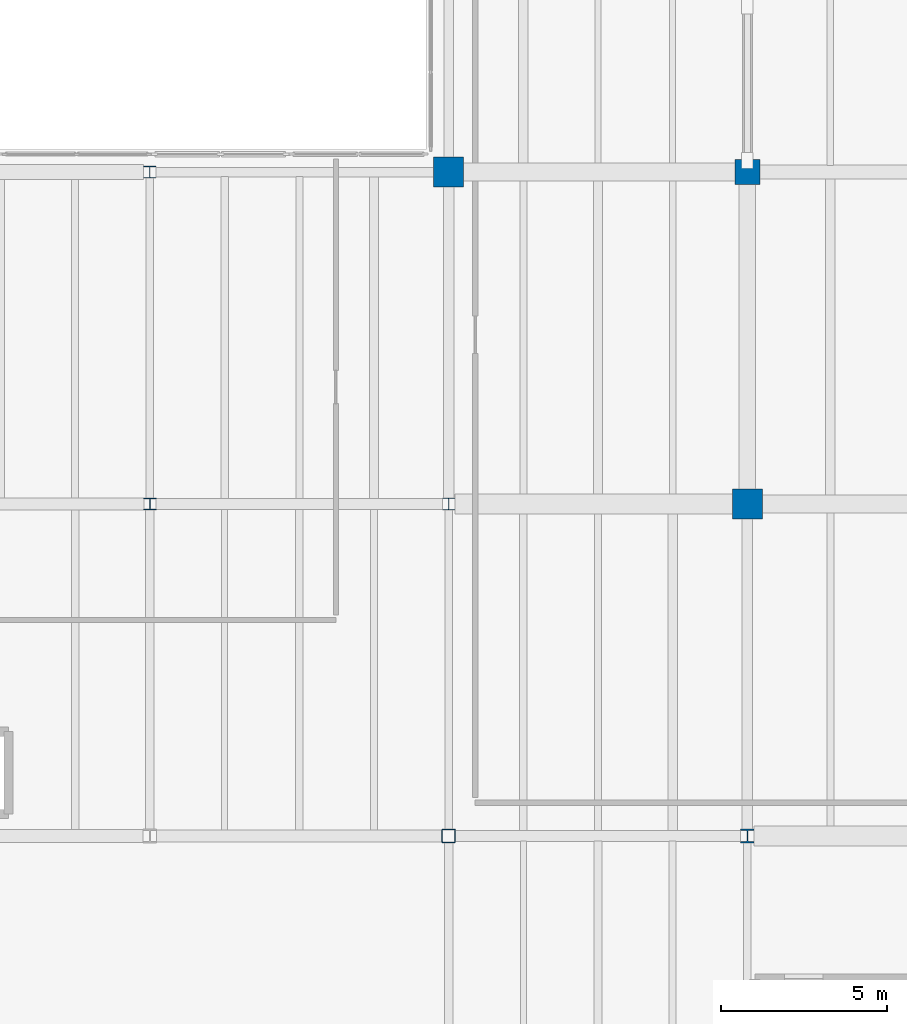
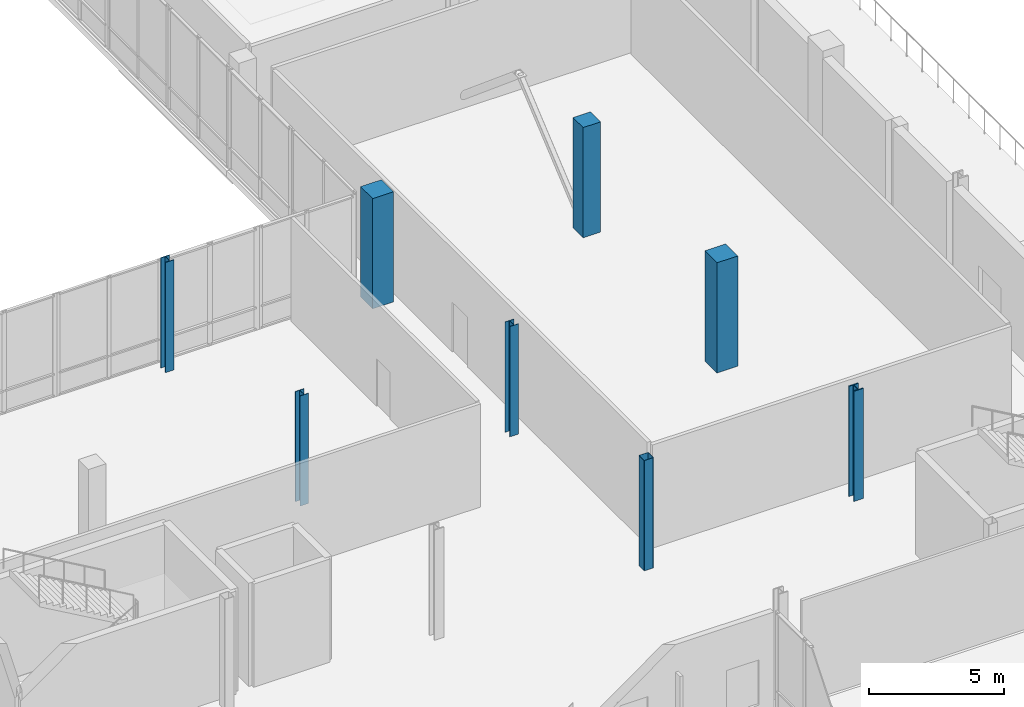
# One storey, part 3 of 81: 8 columns.
"""IFC4 building model written with IfcOpenShell, lengths in metres."""

import ifcopenshell
import ifcopenshell.guid

model = None  # the IFC model being written
_history = None  # IfcOwnerHistory: only IFC2X3 demands one
_inside = {}  # id of a spatial element -> (the spatial element, [elements in it])
_under = {}  # id of a project, library or spatial element -> (it, [spatial elements below it])
_declared = {}  # id of a project -> (the project, [libraries it declares])
_typed = {}  # id of a type object -> (the type object, [elements of that type])
_made_of = {}  # id of a material, layer set ... -> (it, [elements and type objects made of it])


def new_model(schema):
    """Start an empty IFC model of exactly this schema.

    Asked for "IFC4X3", IfcOpenShell would pick the latest addendum, in which some entities
    have other attributes; the version numbers below select the first issue.
    IFC2X3 requires an IfcOwnerHistory on every rooted entity: one is made here for all.
    """
    global model, _history
    if schema == "IFC4X3":
        model = ifcopenshell.file(schema_version=(4, 3, 0, 0))
    else:
        model = ifcopenshell.file(schema=schema)
    _inside.clear()
    _under.clear()
    _declared.clear()
    _typed.clear()
    _made_of.clear()
    _history = None
    if model.schema == "IFC2X3":
        org = make("IfcOrganization", Name="unknown")
        user = make(
            "IfcPersonAndOrganization",
            ThePerson=make("IfcPerson", FamilyName="unknown"),
            TheOrganization=org,
        )
        app = make(
            "IfcApplication",
            ApplicationDeveloper=org,
            Version="unknown",
            ApplicationFullName="unknown",
            ApplicationIdentifier="unknown",
        )
        _history = make(
            "IfcOwnerHistory",
            OwningUser=user,
            OwningApplication=app,
            ChangeAction="ADDED",
            CreationDate=0,
        )
    return model


def make(cls, **values):
    """One entity of the class cls with the attributes given. An attribute that is None is left unset."""
    return model.create_entity(
        cls, **{name: value for name, value in values.items() if value is not None}
    )


def rooted(cls, **values):
    """An entity with a GlobalId (a new one), such as an element, a storey or a relation."""
    return make(cls, GlobalId=ifcopenshell.guid.new(), OwnerHistory=_history, **values)


def si_unit(unit_type, name, prefix=None):
    """IfcSIUnit, for example si_unit("LENGTHUNIT", "METRE", prefix="MILLI")."""
    return make("IfcSIUnit", UnitType=unit_type, Prefix=prefix, Name=name)


def assignment(units):
    """IfcUnitAssignment: the units of a project."""
    return None if units is None else make("IfcUnitAssignment", Units=units)


def point(xyz):
    """IfcCartesianPoint."""
    return None if xyz is None else make("IfcCartesianPoint", Coordinates=xyz)


def direction(xyz):
    """IfcDirection."""
    return None if xyz is None else make("IfcDirection", DirectionRatios=xyz)


def frame(location, z_axis=None, x_axis=None):
    """IfcAxis2Placement3D, a coordinate frame: its origin and axes. An axis left out is left unset."""
    return make(
        "IfcAxis2Placement3D",
        Location=point(location),
        Axis=direction(z_axis),
        RefDirection=direction(x_axis),
    )


def frame_2d(location, x_axis=None):
    """IfcAxis2Placement2D, a coordinate frame in the plane: its origin and x axis."""
    return make(
        "IfcAxis2Placement2D", Location=point(location), RefDirection=direction(x_axis)
    )


def origin():
    """The frame at (0, 0, 0) with its axes left unset."""
    return frame((0.0, 0.0, 0.0))


def origin_2d():
    """The frame at (0, 0) in the plane with its x axis left unset."""
    return frame_2d((0.0, 0.0))


def place(relative_to, where):
    """IfcLocalPlacement: puts the frame where relative to a parent placement (None: the world)."""
    return make(
        "IfcLocalPlacement", PlacementRelTo=relative_to, RelativePlacement=where
    )


def context(
    kind, dimensions, precision=None, world=None, true_north=None, identifier=None
):
    """IfcGeometricRepresentationContext, for example the 3D "Model" context."""
    return make(
        "IfcGeometricRepresentationContext",
        ContextIdentifier=identifier,
        ContextType=kind,
        CoordinateSpaceDimension=dimensions,
        Precision=precision,
        WorldCoordinateSystem=world,
        TrueNorth=true_north,
    )


def subcontext(parent, identifier, kind, view, scale=None):
    """IfcGeometricRepresentationSubContext, for example "Body" below "Model"."""
    return make(
        "IfcGeometricRepresentationSubContext",
        ContextIdentifier=identifier,
        ContextType=kind,
        ParentContext=parent,
        TargetScale=scale,
        TargetView=view,
    )


def project(units=None, contexts=None):
    """IfcProject with its units and contexts."""
    return rooted(
        "IfcProject",
        Name="project",
        RepresentationContexts=contexts,
        UnitsInContext=assignment(units),
    )


def spatial(cls, under=None, at=None, **own):
    """A site, building, storey or space (cls), placed at a placement, below another one or the project."""
    s = rooted(cls, ObjectPlacement=at, **own)
    if under is not None:
        _under.setdefault(under.id(), (under, []))[1].append(s)
    return s


def profile(cls, at=None, kind="AREA", **sizes):
    """A parametric profile (cls). Its sizes go by their IFC names, for example OverallWidth=200.0."""
    return make(cls, ProfileType=kind, Position=at, **sizes)


def rectangle(**sizes):
    """IfcRectangleProfileDef."""
    return profile("IfcRectangleProfileDef", **sizes)


def hollow_rectangle(**sizes):
    """IfcRectangleHollowProfileDef."""
    return profile("IfcRectangleHollowProfileDef", **sizes)


def i_section(**sizes):
    """IfcIShapeProfileDef."""
    return profile("IfcIShapeProfileDef", **sizes)


def extrude(swept, where, along, depth):
    """IfcExtrudedAreaSolid: the profile swept, set in the frame where, extruded along a direction by depth."""
    return make(
        "IfcExtrudedAreaSolid",
        SweptArea=swept,
        Position=where,
        ExtrudedDirection=direction(along),
        Depth=depth,
    )


def shape(context_of_items, identifier, shape_type, items):
    """IfcShapeRepresentation: the items that make up one representation, for example the "Body"."""
    return make(
        "IfcShapeRepresentation",
        ContextOfItems=context_of_items,
        RepresentationIdentifier=identifier,
        RepresentationType=shape_type,
        Items=items,
    )


def material(Name=None, Category=None):
    """IfcMaterial."""
    return make("IfcMaterial", Name=Name, Category=Category)


def material_profile(
    of_material, cross_section, Name=None, Category=None, Priority=None
):
    """IfcMaterialProfile: a cross section and its material."""
    return make(
        "IfcMaterialProfile",
        Name=Name,
        Material=of_material,
        Profile=cross_section,
        Priority=Priority,
        Category=Category,
    )


def profile_set(profiles, Name=None, composite=None):
    """IfcMaterialProfileSet."""
    return make(
        "IfcMaterialProfileSet",
        Name=Name,
        MaterialProfiles=profiles,
        CompositeProfile=composite,
    )


def made_of(thing, what):
    """Note that an element or type object is made of a material, layer set ...; save() writes the relation."""
    if what is not None:
        _made_of.setdefault(what.id(), (what, []))[1].append(thing)
    return thing


def type_object(cls, material=None, **own):
    """A type object (cls), such as IfcWallType, which elements share."""
    return made_of(rooted(cls, **own), material)


def element(
    cls,
    number,
    at=None,
    inside=None,
    cuts=None,
    type_object=None,
    material=None,
    context=None,
    identifier="Body",
    shape_type=None,
    held_by="IfcProductDefinitionShape",
    body=None,
    shapes=None,
    **own,
):
    """One element of the class cls, such as IfcWall. Its Tag is "e" and its number.

    at: its placement. inside: the storey or other place that contains it. cuts: it is an
    opening in that element (IfcRelVoidsElement). A single representation is given by context,
    identifier, shape_type and body (its items); several are given by shapes. held_by: the class
    of the entity that holds the representations. save() writes the other relations.
    """
    e = rooted(cls, Tag="e%d" % number, ObjectPlacement=at, **own)
    if body is not None:
        shapes = [shape(context, identifier, shape_type, body)]
    if shapes is not None:
        e.Representation = make(held_by, Representations=shapes)
    if inside is not None:
        _inside.setdefault(inside.id(), (inside, []))[1].append(e)
    if cuts is not None:
        rooted(
            "IfcRelVoidsElement", RelatingBuildingElement=cuts, RelatedOpeningElement=e
        )
    if type_object is not None:
        _typed.setdefault(type_object.id(), (type_object, []))[1].append(e)
    return made_of(e, material)


def aggregate(whole, parts):
    """IfcRelAggregates: a whole, such as a stair, and the parts it consists of."""
    return rooted("IfcRelAggregates", RelatingObject=whole, RelatedObjects=parts)


def save(model, path):
    """Write the relations noted so far, then the file.

    IfcRelAggregates (storeys below a building ...), IfcRelContainedInSpatialStructure (elements
    in a storey), IfcRelDefinesByType, IfcRelAssociatesMaterial and IfcRelDeclares: one each for
    every whole, place, type object, material and project.
    """
    for whole, parts in _under.values():
        aggregate(whole, parts)
    for where, things in _inside.values():
        rooted(
            "IfcRelContainedInSpatialStructure",
            RelatedElements=things,
            RelatingStructure=where,
        )
    for kind, things in _typed.values():
        rooted("IfcRelDefinesByType", RelatedObjects=things, RelatingType=kind)
    for what, things in _made_of.values():
        rooted("IfcRelAssociatesMaterial", RelatedObjects=things, RelatingMaterial=what)
    for by, libraries in _declared.values():
        rooted("IfcRelDeclares", RelatingContext=by, RelatedDefinitions=libraries)
    model.write(path)


model = new_model("IFC4")

# Units and contexts
model_context = context("Model", 3, precision=1e-05, world=origin(), true_north=direction((0.0, 1.0)))
body_context = subcontext(model_context, "Body", "Model", "MODEL_VIEW")
ifc_project = project(units=[si_unit("LENGTHUNIT", "METRE"), si_unit("AREAUNIT", "SQUARE_METRE"), si_unit("VOLUMEUNIT", "CUBIC_METRE"), si_unit("PLANEANGLEUNIT", "RADIAN"), si_unit("MASSUNIT", "GRAM", prefix="KILO")], contexts=[model_context])

# Site, building, storey
site_placement = place(None, origin())
site = spatial("IfcSite", under=ifc_project, at=site_placement, CompositionType="ELEMENT")
building_placement = place(site_placement, origin())
building = spatial("IfcBuilding", under=site, at=building_placement, Name="Trimount Lyric Opera House", CompositionType="ELEMENT")
storey_placement = place(building_placement, frame((0.0, 0.0, 5.0)))
storey = spatial("IfcBuildingStorey", under=building, at=storey_placement, Name="L01", CompositionType="ELEMENT", Elevation=5.0)

# Columns
ifc_material_1 = material(Name="Steel ASTM A992 Grade 50", Category="steel")
ifc_material_profile_1 = material_profile(ifc_material_1, i_section(OverallWidth=0.406005859375, OverallDepth=0.4169921875, WebThickness=0.02978515625, FlangeThickness=0.048095703125, FilletRadius=0.01806640625, at=origin_2d()), Name="W14X257")
ifc_profile_set_1 = profile_set([ifc_material_profile_1], Name="Steel ASTM A992 Grade 50")
column_type_1 = type_object("IfcColumnType", Name="C-02", PredefinedType="COLUMN", material=ifc_profile_set_1)
column_1_placement = place(storey_placement, frame((54.0, 54.0, 0.0), z_axis=(0.0, 0.0, 1.0), x_axis=(1.0, 0.0, 0.0)))
element("IfcColumn", 1, at=column_1_placement, inside=storey, type_object=column_type_1, Name="L01 column 7/G", PredefinedType="COLUMN", context=body_context, shape_type="SweptSolid", body=[
    extrude(i_section(OverallWidth=0.406005859375, OverallDepth=0.4169921875, WebThickness=0.02978515625, FlangeThickness=0.048095703125, FilletRadius=0.01806640625, at=origin_2d()), origin(), (0.0, 0.0, 1.0), 5.0),
])
ifc_material_2 = material(Name="Steel ASTM A992 Grade 50", Category="steel")
ifc_material_profile_2 = material_profile(ifc_material_2, i_section(OverallWidth=0.373046875, OverallDepth=0.367919921875, WebThickness=0.014892578125, FlangeThickness=0.02392578125, FilletRadius=0.014892578125, at=origin_2d()), Name="W14X120")
ifc_profile_set_2 = profile_set([ifc_material_profile_2], Name="Steel ASTM A992 Grade 50")
column_type_2 = type_object("IfcColumnType", Name="C-04", PredefinedType="COLUMN", material=ifc_profile_set_2)
for number, where, z_axis, x_axis, name in (
    (2, (36.0, 74.0, 0.0), (0.0, 0.0, 1.0), (1.0, 0.0, 0.0), "L01 column 5/J"),
    (3, (45.0, 64.0, 0.0), (0.0, 0.0, 1.0), (1.0, 0.0, 0.0), "L01 column 6/H"),
):
    element("IfcColumn", number, at=place(storey_placement, frame(where, z_axis=z_axis, x_axis=x_axis)), inside=storey, type_object=column_type_2, Name=name, PredefinedType="COLUMN", context=body_context, shape_type="SweptSolid", body=[
        extrude(i_section(OverallWidth=0.373046875, OverallDepth=0.367919921875, WebThickness=0.014892578125, FlangeThickness=0.02392578125, FilletRadius=0.014892578125, at=origin_2d()), origin(), (0.0, 0.0, 1.0), 5.0),
    ])
ifc_material_3 = material(Name="Steel ASTM A500 Grade C", Category="steel")
ifc_material_profile_3 = material_profile(ifc_material_3, hollow_rectangle(XDim=0.406494140625, YDim=0.406494140625, WallThickness=0.014892578125, InnerFilletRadius=0.01513671875, OuterFilletRadius=0.030029296875, at=origin_2d()), Name="HSS406.4X406.4X15.9")
ifc_profile_set_3 = profile_set([ifc_material_profile_3], Name="Steel ASTM A500 Grade C")
column_type_3 = type_object("IfcColumnType", Name="C-07", PredefinedType="COLUMN", material=ifc_profile_set_3)
column_2_placement = place(storey_placement, frame((45.0, 54.0, 0.0), z_axis=(0.0, 0.0, 1.0), x_axis=(1.0, 0.0, 0.0)))
element("IfcColumn", 4, at=column_2_placement, inside=storey, type_object=column_type_3, Name="L01 column 6/G", PredefinedType="COLUMN", context=body_context, shape_type="SweptSolid", body=[
    extrude(hollow_rectangle(XDim=0.406494140625, YDim=0.406494140625, WallThickness=0.014892578125, InnerFilletRadius=0.01513671875, OuterFilletRadius=0.030029296875, at=origin_2d()), origin(), (0.0, 0.0, 1.0), 5.0),
])
ifc_material_4 = material(Name="Steel ASTM A992 Grade 50", Category="steel")
ifc_material_profile_4 = material_profile(ifc_material_4, i_section(OverallWidth=0.367919921875, OverallDepth=0.35595703125, WebThickness=0.01123046875, FlangeThickness=0.01806640625, FilletRadius=0.014892578125, at=origin_2d()), Name="W14X90")
ifc_profile_set_4 = profile_set([ifc_material_profile_4], Name="Steel ASTM A992 Grade 50")
column_type_4 = type_object("IfcColumnType", Name="C-09", PredefinedType="COLUMN", material=ifc_profile_set_4)
column_3_placement = place(storey_placement, frame((36.0, 64.0, 0.0), z_axis=(0.0, 0.0, 1.0), x_axis=(1.0, 0.0, 0.0)))
element("IfcColumn", 5, at=column_3_placement, inside=storey, type_object=column_type_4, Name="L01 column 5/H", PredefinedType="COLUMN", context=body_context, shape_type="SweptSolid", body=[
    extrude(i_section(OverallWidth=0.367919921875, OverallDepth=0.35595703125, WebThickness=0.01123046875, FlangeThickness=0.01806640625, FilletRadius=0.014892578125, at=origin_2d()), origin(), (0.0, 0.0, 1.0), 5.0),
])
ifc_material_5 = material(Name="Concrete C50/60", Category="concrete")
ifc_material_profile_5 = material_profile(ifc_material_5, rectangle(XDim=0.89990234375, YDim=0.89990234375, at=origin_2d()), Name="RC900X900")
ifc_profile_set_5 = profile_set([ifc_material_profile_5], Name="Concrete C50/60")
column_type_5 = type_object("IfcColumnType", Name="C-13", PredefinedType="COLUMN", material=ifc_profile_set_5)
for number, where, z_axis, x_axis, name in (
    (6, (45.0, 74.0, 0.0), (0.0, 0.0, 1.0), (1.0, 0.0, 0.0), "L01 column 6/J"),
    (7, (54.0, 64.0, 0.0), (0.0, 0.0, 1.0), (1.0, 0.0, 0.0), "L01 column 7/H"),
):
    element("IfcColumn", number, at=place(storey_placement, frame(where, z_axis=z_axis, x_axis=x_axis)), inside=storey, type_object=column_type_5, Name=name, PredefinedType="COLUMN", context=body_context, shape_type="SweptSolid", body=[
        extrude(rectangle(XDim=0.89990234375, YDim=0.89990234375, at=origin_2d()), origin(), (0.0, 0.0, 1.0), 5.0),
    ])
ifc_material_6 = material(Name="Concrete C40/50", Category="concrete")
ifc_material_profile_6 = material_profile(ifc_material_6, rectangle(XDim=0.75, YDim=0.75, at=origin_2d()), Name="RC750X750")
ifc_profile_set_6 = profile_set([ifc_material_profile_6], Name="Concrete C40/50")
column_type_6 = type_object("IfcColumnType", Name="C-15", PredefinedType="COLUMN", material=ifc_profile_set_6)
column_4_placement = place(storey_placement, frame((54.0, 74.0, 0.0), z_axis=(0.0, 0.0, 1.0), x_axis=(1.0, 0.0, 0.0)))
element("IfcColumn", 8, at=column_4_placement, inside=storey, type_object=column_type_6, Name="L01 column 7/J", PredefinedType="COLUMN", context=body_context, shape_type="SweptSolid", body=[
    extrude(rectangle(XDim=0.75, YDim=0.75, at=origin_2d()), origin(), (0.0, 0.0, 1.0), 5.0),
])

save(model, "model.ifc")
